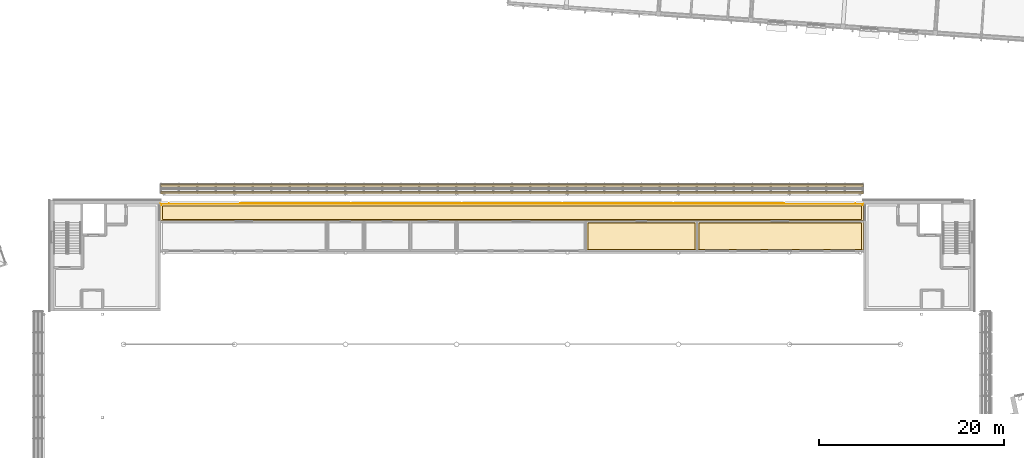
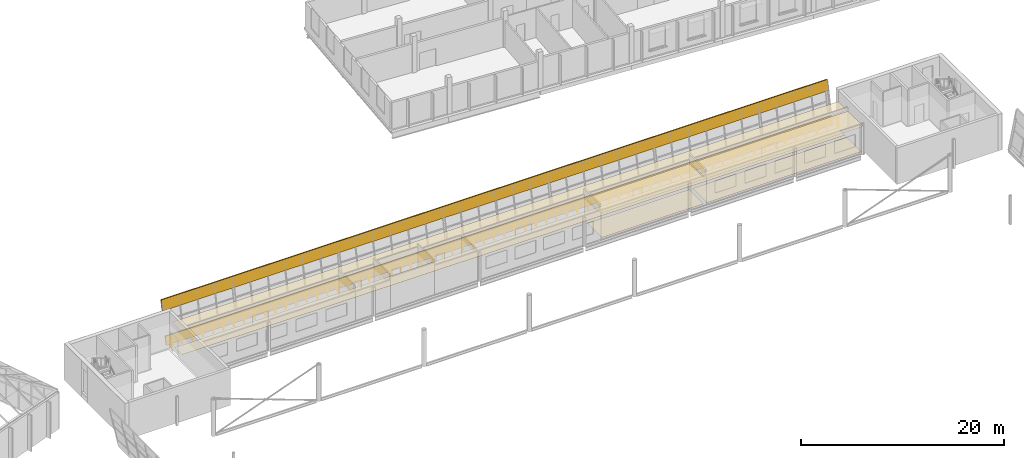
# One storey, part 86 of 95: 8 coverings, 1 railing.
"""IFC4 building model written with IfcOpenShell, lengths in metres."""

import ifcopenshell
import ifcopenshell.guid

model = None  # the IFC model being written
_history = None  # IfcOwnerHistory: only IFC2X3 demands one
_inside = {}  # id of a spatial element -> (the spatial element, [elements in it])
_under = {}  # id of a project, library or spatial element -> (it, [spatial elements below it])
_declared = {}  # id of a project -> (the project, [libraries it declares])
_typed = {}  # id of a type object -> (the type object, [elements of that type])
_made_of = {}  # id of a material, layer set ... -> (it, [elements and type objects made of it])


def new_model(schema):
    """Start an empty IFC model of exactly this schema.

    Asked for "IFC4X3", IfcOpenShell would pick the latest addendum, in which some entities
    have other attributes; the version numbers below select the first issue.
    IFC2X3 requires an IfcOwnerHistory on every rooted entity: one is made here for all.
    """
    global model, _history
    if schema == "IFC4X3":
        model = ifcopenshell.file(schema_version=(4, 3, 0, 0))
    else:
        model = ifcopenshell.file(schema=schema)
    _inside.clear()
    _under.clear()
    _declared.clear()
    _typed.clear()
    _made_of.clear()
    _history = None
    if model.schema == "IFC2X3":
        org = make("IfcOrganization", Name="unknown")
        user = make(
            "IfcPersonAndOrganization",
            ThePerson=make("IfcPerson", FamilyName="unknown"),
            TheOrganization=org,
        )
        app = make(
            "IfcApplication",
            ApplicationDeveloper=org,
            Version="unknown",
            ApplicationFullName="unknown",
            ApplicationIdentifier="unknown",
        )
        _history = make(
            "IfcOwnerHistory",
            OwningUser=user,
            OwningApplication=app,
            ChangeAction="ADDED",
            CreationDate=0,
        )
    return model


def make(cls, **values):
    """One entity of the class cls with the attributes given. An attribute that is None is left unset."""
    return model.create_entity(
        cls, **{name: value for name, value in values.items() if value is not None}
    )


def rooted(cls, **values):
    """An entity with a GlobalId (a new one), such as an element, a storey or a relation."""
    return make(cls, GlobalId=ifcopenshell.guid.new(), OwnerHistory=_history, **values)


def si_unit(unit_type, name, prefix=None):
    """IfcSIUnit, for example si_unit("LENGTHUNIT", "METRE", prefix="MILLI")."""
    return make("IfcSIUnit", UnitType=unit_type, Prefix=prefix, Name=name)


def assignment(units):
    """IfcUnitAssignment: the units of a project."""
    return None if units is None else make("IfcUnitAssignment", Units=units)


def point(xyz):
    """IfcCartesianPoint."""
    return None if xyz is None else make("IfcCartesianPoint", Coordinates=xyz)


def direction(xyz):
    """IfcDirection."""
    return None if xyz is None else make("IfcDirection", DirectionRatios=xyz)


def frame(location, z_axis=None, x_axis=None):
    """IfcAxis2Placement3D, a coordinate frame: its origin and axes. An axis left out is left unset."""
    return make(
        "IfcAxis2Placement3D",
        Location=point(location),
        Axis=direction(z_axis),
        RefDirection=direction(x_axis),
    )


def frame_2d(location, x_axis=None):
    """IfcAxis2Placement2D, a coordinate frame in the plane: its origin and x axis."""
    return make(
        "IfcAxis2Placement2D", Location=point(location), RefDirection=direction(x_axis)
    )


def origin():
    """The frame at (0, 0, 0) with its axes left unset."""
    return frame((0.0, 0.0, 0.0))


def origin_2d():
    """The frame at (0, 0) in the plane with its x axis left unset."""
    return frame_2d((0.0, 0.0))


def place(relative_to, where):
    """IfcLocalPlacement: puts the frame where relative to a parent placement (None: the world)."""
    return make(
        "IfcLocalPlacement", PlacementRelTo=relative_to, RelativePlacement=where
    )


def context(
    kind, dimensions, precision=None, world=None, true_north=None, identifier=None
):
    """IfcGeometricRepresentationContext, for example the 3D "Model" context."""
    return make(
        "IfcGeometricRepresentationContext",
        ContextIdentifier=identifier,
        ContextType=kind,
        CoordinateSpaceDimension=dimensions,
        Precision=precision,
        WorldCoordinateSystem=world,
        TrueNorth=true_north,
    )


def subcontext(parent, identifier, kind, view, scale=None):
    """IfcGeometricRepresentationSubContext, for example "Body" below "Model"."""
    return make(
        "IfcGeometricRepresentationSubContext",
        ContextIdentifier=identifier,
        ContextType=kind,
        ParentContext=parent,
        TargetScale=scale,
        TargetView=view,
    )


def project(units=None, contexts=None):
    """IfcProject with its units and contexts."""
    return rooted(
        "IfcProject",
        Name="project",
        RepresentationContexts=contexts,
        UnitsInContext=assignment(units),
    )


def spatial(cls, under=None, at=None, **own):
    """A site, building, storey or space (cls), placed at a placement, below another one or the project."""
    s = rooted(cls, ObjectPlacement=at, **own)
    if under is not None:
        _under.setdefault(under.id(), (under, []))[1].append(s)
    return s


def polyline(points):
    """IfcPolyline through the points."""
    return make("IfcPolyline", Points=[point(p) for p in points])


def profile(cls, at=None, kind="AREA", **sizes):
    """A parametric profile (cls). Its sizes go by their IFC names, for example OverallWidth=200.0."""
    return make(cls, ProfileType=kind, Position=at, **sizes)


def circle(**sizes):
    """IfcCircleProfileDef."""
    return profile("IfcCircleProfileDef", **sizes)


def outline(outer, holes=None, kind="AREA"):
    """IfcArbitraryClosedProfileDef: a profile drawn as a closed curve; with holes, ...WithVoids."""
    if holes is None:
        return make("IfcArbitraryClosedProfileDef", ProfileType=kind, OuterCurve=outer)
    return make(
        "IfcArbitraryProfileDefWithVoids",
        ProfileType=kind,
        OuterCurve=outer,
        InnerCurves=holes,
    )


def extrude(swept, where, along, depth):
    """IfcExtrudedAreaSolid: the profile swept, set in the frame where, extruded along a direction by depth."""
    return make(
        "IfcExtrudedAreaSolid",
        SweptArea=swept,
        Position=where,
        ExtrudedDirection=direction(along),
        Depth=depth,
    )


def shape(context_of_items, identifier, shape_type, items):
    """IfcShapeRepresentation: the items that make up one representation, for example the "Body"."""
    return make(
        "IfcShapeRepresentation",
        ContextOfItems=context_of_items,
        RepresentationIdentifier=identifier,
        RepresentationType=shape_type,
        Items=items,
    )


def material(Name=None, Category=None):
    """IfcMaterial."""
    return make("IfcMaterial", Name=Name, Category=Category)


def layer(
    of_material, thickness, ventilated=None, Name=None, Category=None, Priority=None
):
    """IfcMaterialLayer: one layer of a wall or slab, of a material (None: an air gap)."""
    return make(
        "IfcMaterialLayer",
        Material=of_material,
        LayerThickness=thickness,
        IsVentilated=ventilated,
        Name=Name,
        Category=Category,
        Priority=Priority,
    )


def layer_set(layers, Name=None):
    """IfcMaterialLayerSet."""
    return make("IfcMaterialLayerSet", MaterialLayers=layers, LayerSetName=Name)


def made_of(thing, what):
    """Note that an element or type object is made of a material, layer set ...; save() writes the relation."""
    if what is not None:
        _made_of.setdefault(what.id(), (what, []))[1].append(thing)
    return thing


def type_object(cls, material=None, **own):
    """A type object (cls), such as IfcWallType, which elements share."""
    return made_of(rooted(cls, **own), material)


def element(
    cls,
    number,
    at=None,
    inside=None,
    cuts=None,
    type_object=None,
    material=None,
    context=None,
    identifier="Body",
    shape_type=None,
    held_by="IfcProductDefinitionShape",
    body=None,
    shapes=None,
    **own,
):
    """One element of the class cls, such as IfcWall. Its Tag is "e" and its number.

    at: its placement. inside: the storey or other place that contains it. cuts: it is an
    opening in that element (IfcRelVoidsElement). A single representation is given by context,
    identifier, shape_type and body (its items); several are given by shapes. held_by: the class
    of the entity that holds the representations. save() writes the other relations.
    """
    e = rooted(cls, Tag="e%d" % number, ObjectPlacement=at, **own)
    if body is not None:
        shapes = [shape(context, identifier, shape_type, body)]
    if shapes is not None:
        e.Representation = make(held_by, Representations=shapes)
    if inside is not None:
        _inside.setdefault(inside.id(), (inside, []))[1].append(e)
    if cuts is not None:
        rooted(
            "IfcRelVoidsElement", RelatingBuildingElement=cuts, RelatedOpeningElement=e
        )
    if type_object is not None:
        _typed.setdefault(type_object.id(), (type_object, []))[1].append(e)
    return made_of(e, material)


def aggregate(whole, parts):
    """IfcRelAggregates: a whole, such as a stair, and the parts it consists of."""
    return rooted("IfcRelAggregates", RelatingObject=whole, RelatedObjects=parts)


def save(model, path):
    """Write the relations noted so far, then the file.

    IfcRelAggregates (storeys below a building ...), IfcRelContainedInSpatialStructure (elements
    in a storey), IfcRelDefinesByType, IfcRelAssociatesMaterial and IfcRelDeclares: one each for
    every whole, place, type object, material and project.
    """
    for whole, parts in _under.values():
        aggregate(whole, parts)
    for where, things in _inside.values():
        rooted(
            "IfcRelContainedInSpatialStructure",
            RelatedElements=things,
            RelatingStructure=where,
        )
    for kind, things in _typed.values():
        rooted("IfcRelDefinesByType", RelatedObjects=things, RelatingType=kind)
    for what, things in _made_of.values():
        rooted("IfcRelAssociatesMaterial", RelatedObjects=things, RelatingMaterial=what)
    for by, libraries in _declared.values():
        rooted("IfcRelDeclares", RelatingContext=by, RelatedDefinitions=libraries)
    model.write(path)


model = new_model("IFC4")

# Units and contexts
model_context = context("Model", 3, precision=1e-05, world=origin(), true_north=direction((0.0, 1.0)))
body_context = subcontext(model_context, "Body", "Model", "MODEL_VIEW")
ifc_project = project(units=[si_unit("LENGTHUNIT", "METRE"), si_unit("AREAUNIT", "SQUARE_METRE"), si_unit("VOLUMEUNIT", "CUBIC_METRE"), si_unit("PLANEANGLEUNIT", "RADIAN"), si_unit("MASSUNIT", "GRAM", prefix="KILO")], contexts=[model_context])

# Site, building, storey
site_placement = place(None, origin())
site = spatial("IfcSite", under=ifc_project, at=site_placement, CompositionType="ELEMENT")
building_placement = place(site_placement, origin())
building = spatial("IfcBuilding", under=site, at=building_placement, Name="Windward Yard Aquatics Centre", CompositionType="ELEMENT")
storey_placement = place(building_placement, frame((0.0, 0.0, 9.39990234375)))
storey = spatial("IfcBuildingStorey", under=building, at=storey_placement, Name="L02", CompositionType="ELEMENT", Elevation=9.39990234375)

# Coverings
ifc_material_1 = material(Name="Polished screed")
ifc_layer_1 = layer(ifc_material_1, 0.0400390625)
ifc_layer_set_1 = layer_set([ifc_layer_1], Name="H Floor Finish Screed 40")
covering_type_1 = type_object("IfcCoveringType", Name="H Floor Finish Screed 40", PredefinedType="FLOORING", material=ifc_layer_set_1)
covering_1_placement = place(storey_placement, origin())
element("IfcCovering", 1, at=covering_1_placement, inside=storey, type_object=covering_type_1, Name="Media Workroom floor finish", PredefinedType="FLOORING", context=body_context, shape_type="SweptSolid", body=[
    extrude(outline(polyline([(110.199951171875, 90.640380859375), (110.199951171875, 93.5), (121.800048828125, 93.5), (121.800048828125, 90.640380859375), (110.199951171875, 90.640380859375)])), origin(), (0.0, 0.0, 1.0), 0.02001953125),
])
covering_2_placement = place(storey_placement, origin())
element("IfcCovering", 2, at=covering_2_placement, inside=storey, type_object=covering_type_1, Name="VIP Suite floor finish", PredefinedType="FLOORING", context=body_context, shape_type="SweptSolid", body=[
    extrude(outline(polyline([(122.199951171875, 90.640380859375), (122.199951171875, 93.5), (139.800048828125, 93.5), (139.800048828125, 90.640380859375), (122.199951171875, 90.640380859375)])), origin(), (0.0, 0.0, 1.0), 0.02001953125),
])
covering_3_placement = place(storey_placement, origin())
element("IfcCovering", 3, at=covering_3_placement, inside=storey, type_object=covering_type_1, Name="Upper Corridor North floor finish", PredefinedType="FLOORING", context=body_context, shape_type="SweptSolid", body=[
    extrude(outline(polyline([(64.199951171875, 93.89990234375), (64.199951171875, 95.35009765625), (139.800048828125, 95.35009765625), (139.800048828125, 93.89990234375), (64.199951171875, 93.89990234375)])), origin(), (0.0, 0.0, 1.0), 0.02001953125),
])
ifc_material_2 = material(Name="Mineral fibre tile")
ifc_layer_2 = layer(ifc_material_2, 0.02001953125)
ifc_layer_set_2 = layer_set([ifc_layer_2], Name="H Suspended Ceiling 600 x 600")
covering_type_2 = type_object("IfcCoveringType", Name="H Suspended Ceiling 600 x 600", PredefinedType="CEILING", material=ifc_layer_set_2)
covering_4_placement = place(storey_placement, frame((0.0, 0.0, 3.0)))
element("IfcCovering", 4, at=covering_4_placement, inside=storey, type_object=covering_type_2, Name="Media Workroom ceiling", PredefinedType="CEILING", context=body_context, shape_type="SweptSolid", body=[
    extrude(outline(polyline([(110.075439453125, 90.5908203125), (110.075439453125, 93.62451171875), (121.924560546875, 93.62451171875), (121.924560546875, 90.5908203125), (110.075439453125, 90.5908203125)])), origin(), (0.0, 0.0, 1.0), 0.02001953125),
])
covering_5_placement = place(storey_placement, frame((0.0, 0.0, 3.0)))
element("IfcCovering", 5, at=covering_5_placement, inside=storey, type_object=covering_type_2, Name="VIP Suite ceiling", PredefinedType="CEILING", context=body_context, shape_type="SweptSolid", body=[
    extrude(outline(polyline([(122.075439453125, 90.5908203125), (122.075439453125, 93.62451171875), (139.99951171875, 93.62451171875), (139.99951171875, 90.5908203125), (122.075439453125, 90.5908203125)])), origin(), (0.0, 0.0, 1.0), 0.02001953125),
])
covering_6_placement = place(storey_placement, frame((0.0, 0.0, 3.0)))
element("IfcCovering", 6, at=covering_6_placement, inside=storey, type_object=covering_type_2, Name="Upper Corridor North ceiling", PredefinedType="CEILING", context=body_context, shape_type="SweptSolid", body=[
    extrude(outline(polyline([(64.00048828125, 93.775390625), (64.00048828125, 95.550048828125), (139.99951171875, 95.550048828125), (139.99951171875, 93.775390625), (64.00048828125, 93.775390625)])), origin(), (0.0, 0.0, 1.0), 0.02001953125),
])

# Railing
ifc_material_3 = material(Name="Stainless steel 1.4401 with toughened laminated glass infill", Category="steel")
railing_type = type_object("IfcRailingType", Name="H gallery guard 1100", PredefinedType="GUARDRAIL", material=ifc_material_3)
railing_placement = place(storey_placement, frame((64.02099609375, 95.43994140625, 0.0)))
element("IfcRailing", 7, at=railing_placement, inside=storey, type_object=railing_type, Name="Gallery guard N", PredefinedType="GUARDRAIL", context=body_context, shape_type="SweptSolid", body=[
    extrude(circle(Radius=0.02392578125, at=origin_2d()), frame((0.0, 0.0, 1.076171875), z_axis=(0.0, 1.0, 0.0), x_axis=(-1.0, 0.0, 0.0)), (0.0, 0.0, 1.0), 0.199951171875),
    extrude(circle(Radius=0.02392578125, at=origin_2d()), frame((0.0, 0.199951171875, 1.076171875), z_axis=(1.0, 0.0, 0.0), x_axis=(0.0, 1.0, 0.0)), (0.0, 0.0, 1.0), 75.9580078125),
    extrude(circle(Radius=0.02392578125, at=origin_2d()), frame((75.9580078125, 0.199951171875, 1.076171875), z_axis=(0.0, -1.0, 0.0), x_axis=(1.0, 0.0, 0.0)), (0.0, 0.0, 1.0), 0.199951171875),
    extrude(circle(Radius=0.02099609375, at=origin_2d()), origin(), (0.0, 0.0, 1.0), 1.052001953125),
    extrude(circle(Radius=0.02099609375, at=origin_2d()), frame((0.0, 0.199951171875, 0.0)), (0.0, 0.0, 1.0), 1.052001953125),
    extrude(circle(Radius=0.02099609375, at=origin_2d()), frame((1.186767578125, 0.199951171875, 0.0)), (0.0, 0.0, 1.0), 1.052001953125),
    extrude(circle(Radius=0.02099609375, at=origin_2d()), frame((2.373779296875, 0.199951171875, 0.0)), (0.0, 0.0, 1.0), 1.052001953125),
    extrude(circle(Radius=0.02099609375, at=origin_2d()), frame((3.560546875, 0.199951171875, 0.0)), (0.0, 0.0, 1.0), 1.052001953125),
    extrude(circle(Radius=0.02099609375, at=origin_2d()), frame((4.747314453125, 0.199951171875, 0.0)), (0.0, 0.0, 1.0), 1.052001953125),
    extrude(circle(Radius=0.02099609375, at=origin_2d()), frame((5.934326171875, 0.199951171875, 0.0)), (0.0, 0.0, 1.0), 1.052001953125),
    extrude(circle(Radius=0.02099609375, at=origin_2d()), frame((7.12109375, 0.199951171875, 0.0)), (0.0, 0.0, 1.0), 1.052001953125),
    extrude(circle(Radius=0.02099609375, at=origin_2d()), frame((8.307861328125, 0.199951171875, 0.0)), (0.0, 0.0, 1.0), 1.052001953125),
    extrude(circle(Radius=0.02099609375, at=origin_2d()), frame((9.49462890625, 0.199951171875, 0.0)), (0.0, 0.0, 1.0), 1.052001953125),
    extrude(circle(Radius=0.02099609375, at=origin_2d()), frame((10.681640625, 0.199951171875, 0.0)), (0.0, 0.0, 1.0), 1.052001953125),
    extrude(circle(Radius=0.02099609375, at=origin_2d()), frame((11.868408203125, 0.199951171875, 0.0)), (0.0, 0.0, 1.0), 1.052001953125),
    extrude(circle(Radius=0.02099609375, at=origin_2d()), frame((13.05517578125, 0.199951171875, 0.0)), (0.0, 0.0, 1.0), 1.052001953125),
    extrude(circle(Radius=0.02099609375, at=origin_2d()), frame((14.2421875, 0.199951171875, 0.0)), (0.0, 0.0, 1.0), 1.052001953125),
    extrude(circle(Radius=0.02099609375, at=origin_2d()), frame((15.428955078125, 0.199951171875, 0.0)), (0.0, 0.0, 1.0), 1.052001953125),
    extrude(circle(Radius=0.02099609375, at=origin_2d()), frame((16.61572265625, 0.199951171875, 0.0)), (0.0, 0.0, 1.0), 1.052001953125),
    extrude(circle(Radius=0.02099609375, at=origin_2d()), frame((17.802734375, 0.199951171875, 0.0)), (0.0, 0.0, 1.0), 1.052001953125),
    extrude(circle(Radius=0.02099609375, at=origin_2d()), frame((18.989501953125, 0.199951171875, 0.0)), (0.0, 0.0, 1.0), 1.052001953125),
    extrude(circle(Radius=0.02099609375, at=origin_2d()), frame((20.17626953125, 0.199951171875, 0.0)), (0.0, 0.0, 1.0), 1.052001953125),
    extrude(circle(Radius=0.02099609375, at=origin_2d()), frame((21.36328125, 0.199951171875, 0.0)), (0.0, 0.0, 1.0), 1.052001953125),
    extrude(circle(Radius=0.02099609375, at=origin_2d()), frame((22.550048828125, 0.199951171875, 0.0)), (0.0, 0.0, 1.0), 1.052001953125),
    extrude(circle(Radius=0.02099609375, at=origin_2d()), frame((23.73681640625, 0.199951171875, 0.0)), (0.0, 0.0, 1.0), 1.052001953125),
    extrude(circle(Radius=0.02099609375, at=origin_2d()), frame((24.923828125, 0.199951171875, 0.0)), (0.0, 0.0, 1.0), 1.052001953125),
    extrude(circle(Radius=0.02099609375, at=origin_2d()), frame((26.110595703125, 0.199951171875, 0.0)), (0.0, 0.0, 1.0), 1.052001953125),
    extrude(circle(Radius=0.02099609375, at=origin_2d()), frame((27.29736328125, 0.199951171875, 0.0)), (0.0, 0.0, 1.0), 1.052001953125),
    extrude(circle(Radius=0.02099609375, at=origin_2d()), frame((28.484375, 0.199951171875, 0.0)), (0.0, 0.0, 1.0), 1.052001953125),
    extrude(circle(Radius=0.02099609375, at=origin_2d()), frame((29.671142578125, 0.199951171875, 0.0)), (0.0, 0.0, 1.0), 1.052001953125),
    extrude(circle(Radius=0.02099609375, at=origin_2d()), frame((30.85791015625, 0.199951171875, 0.0)), (0.0, 0.0, 1.0), 1.052001953125),
    extrude(circle(Radius=0.02099609375, at=origin_2d()), frame((32.044677734375, 0.199951171875, 0.0)), (0.0, 0.0, 1.0), 1.052001953125),
    extrude(circle(Radius=0.02099609375, at=origin_2d()), frame((33.231689453125, 0.199951171875, 0.0)), (0.0, 0.0, 1.0), 1.052001953125),
    extrude(circle(Radius=0.02099609375, at=origin_2d()), frame((34.41845703125, 0.199951171875, 0.0)), (0.0, 0.0, 1.0), 1.052001953125),
    extrude(circle(Radius=0.02099609375, at=origin_2d()), frame((35.605224609375, 0.199951171875, 0.0)), (0.0, 0.0, 1.0), 1.052001953125),
    extrude(circle(Radius=0.02099609375, at=origin_2d()), frame((36.792236328125, 0.199951171875, 0.0)), (0.0, 0.0, 1.0), 1.052001953125),
    extrude(circle(Radius=0.02099609375, at=origin_2d()), frame((37.97900390625, 0.199951171875, 0.0)), (0.0, 0.0, 1.0), 1.052001953125),
    extrude(circle(Radius=0.02099609375, at=origin_2d()), frame((39.165771484375, 0.199951171875, 0.0)), (0.0, 0.0, 1.0), 1.052001953125),
    extrude(circle(Radius=0.02099609375, at=origin_2d()), frame((40.352783203125, 0.199951171875, 0.0)), (0.0, 0.0, 1.0), 1.052001953125),
    extrude(circle(Radius=0.02099609375, at=origin_2d()), frame((41.53955078125, 0.199951171875, 0.0)), (0.0, 0.0, 1.0), 1.052001953125),
    extrude(circle(Radius=0.02099609375, at=origin_2d()), frame((42.726318359375, 0.199951171875, 0.0)), (0.0, 0.0, 1.0), 1.052001953125),
    extrude(circle(Radius=0.02099609375, at=origin_2d()), frame((43.913330078125, 0.199951171875, 0.0)), (0.0, 0.0, 1.0), 1.052001953125),
    extrude(circle(Radius=0.02099609375, at=origin_2d()), frame((45.10009765625, 0.199951171875, 0.0)), (0.0, 0.0, 1.0), 1.052001953125),
    extrude(circle(Radius=0.02099609375, at=origin_2d()), frame((46.286865234375, 0.199951171875, 0.0)), (0.0, 0.0, 1.0), 1.052001953125),
    extrude(circle(Radius=0.02099609375, at=origin_2d()), frame((47.4736328125, 0.199951171875, 0.0)), (0.0, 0.0, 1.0), 1.052001953125),
    extrude(circle(Radius=0.02099609375, at=origin_2d()), frame((48.66064453125, 0.199951171875, 0.0)), (0.0, 0.0, 1.0), 1.052001953125),
    extrude(circle(Radius=0.02099609375, at=origin_2d()), frame((49.847412109375, 0.199951171875, 0.0)), (0.0, 0.0, 1.0), 1.052001953125),
    extrude(circle(Radius=0.02099609375, at=origin_2d()), frame((51.0341796875, 0.199951171875, 0.0)), (0.0, 0.0, 1.0), 1.052001953125),
    extrude(circle(Radius=0.02099609375, at=origin_2d()), frame((52.22119140625, 0.199951171875, 0.0)), (0.0, 0.0, 1.0), 1.052001953125),
    extrude(circle(Radius=0.02099609375, at=origin_2d()), frame((53.407958984375, 0.199951171875, 0.0)), (0.0, 0.0, 1.0), 1.052001953125),
    extrude(circle(Radius=0.02099609375, at=origin_2d()), frame((54.5947265625, 0.199951171875, 0.0)), (0.0, 0.0, 1.0), 1.052001953125),
    extrude(circle(Radius=0.02099609375, at=origin_2d()), frame((55.78173828125, 0.199951171875, 0.0)), (0.0, 0.0, 1.0), 1.052001953125),
    extrude(circle(Radius=0.02099609375, at=origin_2d()), frame((56.968505859375, 0.199951171875, 0.0)), (0.0, 0.0, 1.0), 1.052001953125),
    extrude(circle(Radius=0.02099609375, at=origin_2d()), frame((58.1552734375, 0.199951171875, 0.0)), (0.0, 0.0, 1.0), 1.052001953125),
    extrude(circle(Radius=0.02099609375, at=origin_2d()), frame((59.34228515625, 0.199951171875, 0.0)), (0.0, 0.0, 1.0), 1.052001953125),
    extrude(circle(Radius=0.02099609375, at=origin_2d()), frame((60.529052734375, 0.199951171875, 0.0)), (0.0, 0.0, 1.0), 1.052001953125),
    extrude(circle(Radius=0.02099609375, at=origin_2d()), frame((61.7158203125, 0.199951171875, 0.0)), (0.0, 0.0, 1.0), 1.052001953125),
    extrude(circle(Radius=0.02099609375, at=origin_2d()), frame((62.90283203125, 0.199951171875, 0.0)), (0.0, 0.0, 1.0), 1.052001953125),
    extrude(circle(Radius=0.02099609375, at=origin_2d()), frame((64.089599609375, 0.199951171875, 0.0)), (0.0, 0.0, 1.0), 1.052001953125),
    extrude(circle(Radius=0.02099609375, at=origin_2d()), frame((65.2763671875, 0.199951171875, 0.0)), (0.0, 0.0, 1.0), 1.052001953125),
    extrude(circle(Radius=0.02099609375, at=origin_2d()), frame((66.46337890625, 0.199951171875, 0.0)), (0.0, 0.0, 1.0), 1.052001953125),
    extrude(circle(Radius=0.02099609375, at=origin_2d()), frame((67.650146484375, 0.199951171875, 0.0)), (0.0, 0.0, 1.0), 1.052001953125),
    extrude(circle(Radius=0.02099609375, at=origin_2d()), frame((68.8369140625, 0.199951171875, 0.0)), (0.0, 0.0, 1.0), 1.052001953125),
    extrude(circle(Radius=0.02099609375, at=origin_2d()), frame((70.023681640625, 0.199951171875, 0.0)), (0.0, 0.0, 1.0), 1.052001953125),
    extrude(circle(Radius=0.02099609375, at=origin_2d()), frame((71.210693359375, 0.199951171875, 0.0)), (0.0, 0.0, 1.0), 1.052001953125),
    extrude(circle(Radius=0.02099609375, at=origin_2d()), frame((72.3974609375, 0.199951171875, 0.0)), (0.0, 0.0, 1.0), 1.052001953125),
    extrude(circle(Radius=0.02099609375, at=origin_2d()), frame((73.584228515625, 0.199951171875, 0.0)), (0.0, 0.0, 1.0), 1.052001953125),
    extrude(circle(Radius=0.02099609375, at=origin_2d()), frame((74.771240234375, 0.199951171875, 0.0)), (0.0, 0.0, 1.0), 1.052001953125),
    extrude(circle(Radius=0.02099609375, at=origin_2d()), frame((75.9580078125, 0.199951171875, 0.0)), (0.0, 0.0, 1.0), 1.052001953125),
    extrude(circle(Radius=0.02099609375, at=origin_2d()), frame((75.9580078125, 0.0, 0.0)), (0.0, 0.0, 1.0), 1.052001953125),
])

# Coverings
ifc_material_4 = material(Name="Natural limestone cladding", Category="masonry")
ifc_layer_3 = layer(ifc_material_4, 0.125)
ifc_layer_set_3 = layer_set([ifc_layer_3], Name="H tier stone band 125")
covering_type_3 = type_object("IfcCoveringType", Name="H tier stone band 125", PredefinedType="CLADDING", material=ifc_layer_set_3)
covering_7_placement = place(storey_placement, frame((64.0, 96.0, 13.2001953125), z_axis=(1.0, 0.0, 0.0), x_axis=(0.0, 1.0, 0.0)))
element("IfcCovering", 8, at=covering_7_placement, inside=storey, type_object=covering_type_3, Name="Tier 1 edge fascia N", PredefinedType="CLADDING", context=body_context, shape_type="SweptSolid", body=[
    extrude(outline(polyline([(1.546142578125, -10.0), (1.418701171875, -10.0), (1.662841796875, -8.800048828125), (1.790283203125, -8.800048828125), (1.546142578125, -10.0)])), origin(), (0.0, 0.0, 1.0), 76.0),
])
covering_8_placement = place(storey_placement, frame((64.0, 96.0, 13.2001953125), z_axis=(1.0, 0.0, 0.0), x_axis=(0.0, 1.0, 0.0)))
element("IfcCovering", 9, at=covering_8_placement, inside=storey, type_object=covering_type_3, Name="Tier 1 spandrel band N", PredefinedType="CLADDING", context=body_context, shape_type="SweptSolid", body=[
    extrude(outline(polyline([(0.79345703125, -13.699951171875), (0.666015625, -13.699951171875), (0.869384765625, -12.699951171875), (0.996826171875, -12.699951171875), (0.79345703125, -13.699951171875)])), origin(), (0.0, 0.0, 1.0), 76.0),
])

save(model, "model.ifc")
